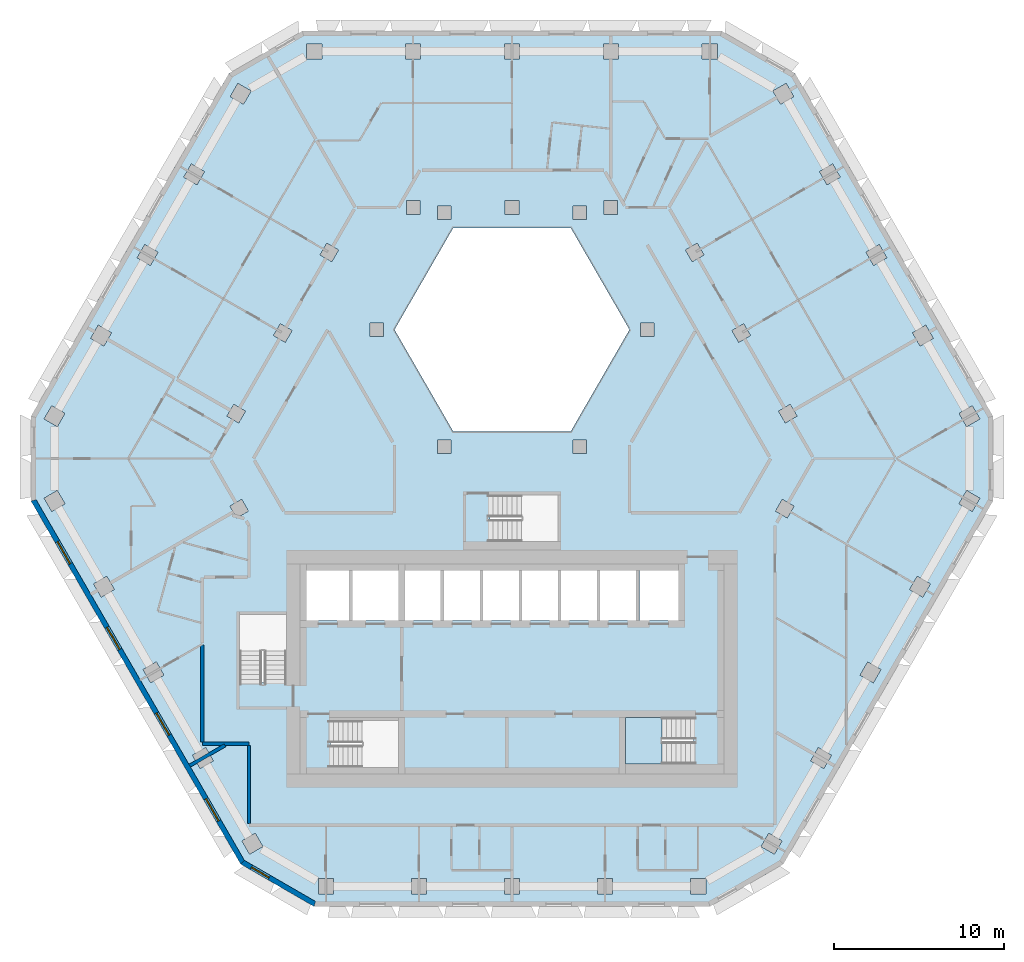
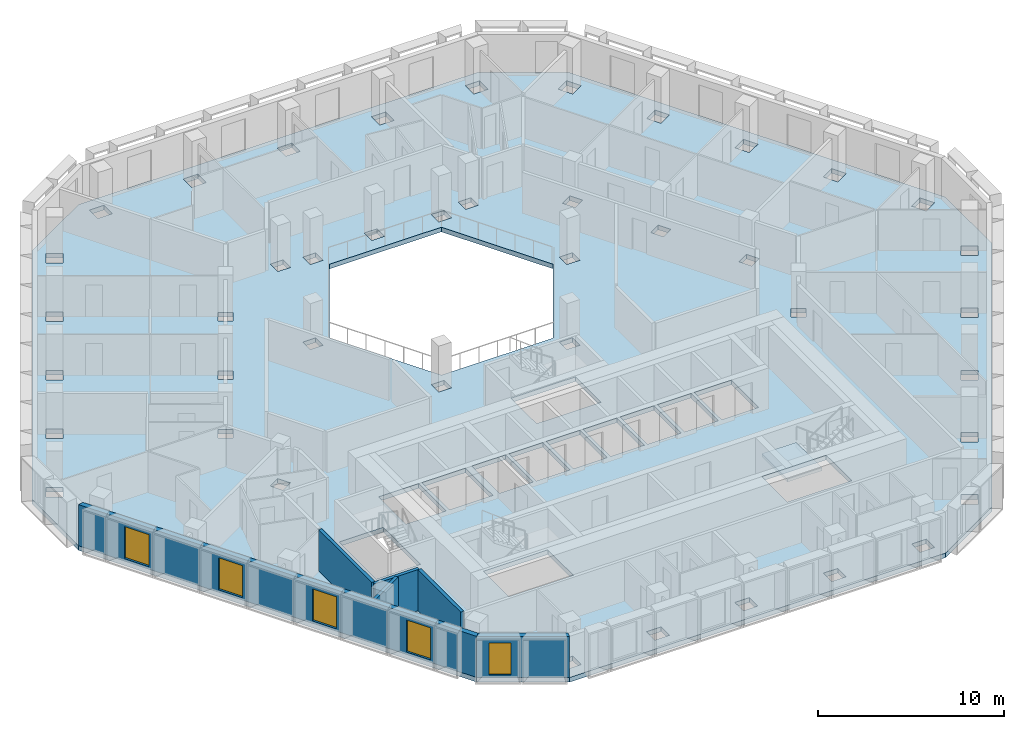
# One storey, part 2 of 15: 6 walls, 5 windows, 2 slabs, 5 openings, 1 element without a shape of its own.
"""IFC4 building model written with IfcOpenShell, lengths in metres."""

from ifc_helpers import new_model, si_unit, direction, frame, frame_2d, origin, place, context, subcontext, project, spatial, polyline, rectangle, outline, extrude, material, layer, layer_set, type_object, element, fill, aggregate, save


model = new_model("IFC4")

# Units and contexts
model_context = context("Model", 3, precision=1e-05, world=origin(), true_north=direction((0.0, 1.0)))
body_context = subcontext(model_context, "Body", "Model", "MODEL_VIEW")
ifc_project = project(units=[si_unit("LENGTHUNIT", "METRE"), si_unit("AREAUNIT", "SQUARE_METRE"), si_unit("VOLUMEUNIT", "CUBIC_METRE"), si_unit("PLANEANGLEUNIT", "RADIAN"), si_unit("MASSUNIT", "GRAM", prefix="KILO")], contexts=[model_context])

# Site, building, storey
site_placement = place(None, origin())
site = spatial("IfcSite", under=ifc_project, at=site_placement, CompositionType="ELEMENT")
building_placement = place(site_placement, origin())
building = spatial("IfcBuilding", under=site, at=building_placement, Name="Beryl Residences", CompositionType="ELEMENT")
storey_placement = place(building_placement, frame((0.0, 0.0, 117.60009765625)))
storey = spatial("IfcBuildingStorey", under=building, at=storey_placement, Name="L35", CompositionType="ELEMENT", Elevation=117.60009765625)

# Slab
ifc_material_1 = material(Name="Concrete C40/50", Category="concrete")
ifc_layer_1 = layer(ifc_material_1, 0.300048828125)
ifc_layer_set_1 = layer_set([ifc_layer_1], Name="SL7 PT floor slab 300 mm C40/50")
slab_type_1 = type_object("IfcSlabType", Name="SL7 PT floor slab 300 mm C40/50", PredefinedType="FLOOR", material=ifc_layer_set_1)
slab_1_placement = place(storey_placement, frame((0.0, 0.0, -0.300048828125)))
element("IfcSlab", 1, at=slab_1_placement, inside=storey, type_object=slab_type_1, Name="L35 slab 1", PredefinedType="FLOOR", context=body_context, shape_type="SweptSolid", body=[
    extrude(outline(polyline([(28.347900390625, -2.10009765625), (15.991943359375, -23.5), (11.662109375, -26.0), (-11.662109375, -26.0), (-15.991943359375, -23.5), (-28.347900390625, -2.10009765625), (-28.347900390625, 2.89990234375), (-16.68505859375, 23.10009765625), (-12.35498046875, 25.60009765625), (12.35498046875, 25.60009765625), (16.68505859375, 23.10009765625), (28.347900390625, 2.89990234375), (28.347900390625, -2.10009765625)]), holes=[polyline([(27.1279296875, 3.514892578125), (26.347900390625, 3.06494140625), (26.798095703125, 2.284912109375), (27.577880859375, 2.735107421875), (27.1279296875, 3.514892578125)]), polyline([(26.7958984375, -1.486083984375), (26.345947265625, -2.26611328125), (27.1259765625, -2.716064453125), (27.575927734375, -1.93603515625), (26.7958984375, -1.486083984375)]), polyline([(23.60498046875, 7.81494140625), (24.054931640625, 7.034912109375), (24.8349609375, 7.485107421875), (24.385009765625, 8.264892578125), (23.60498046875, 7.81494140625)]), polyline([(24.660888671875, -6.986083984375), (23.881103515625, -6.535888671875), (23.430908203125, -7.31591796875), (24.2109375, -7.76611328125), (24.660888671875, -6.986083984375)]), polyline([(21.64306640625, 13.014892578125), (20.863037109375, 12.56494140625), (21.31298828125, 11.784912109375), (22.093017578125, 12.235107421875), (21.64306640625, 13.014892578125)]), polyline([(20.965087890625, -11.5859375), (20.514892578125, -12.365966796875), (21.294921875, -12.81591796875), (21.7451171875, -12.035888671875), (20.965087890625, -11.5859375)]), polyline([(18.1201171875, 17.31494140625), (18.570068359375, 16.534912109375), (19.35009765625, 16.985107421875), (18.89990234375, 17.764892578125), (18.1201171875, 17.31494140625)]), polyline([(18.830078125, -17.0859375), (18.050048828125, -16.635986328125), (17.60009765625, -17.416015625), (18.3798828125, -17.865966796875), (18.830078125, -17.0859375)]), polyline([(16.39892578125, 3.595947265625), (15.70703125, 3.196044921875), (16.10693359375, 2.50390625), (16.799072265625, 2.904052734375), (16.39892578125, 3.595947265625)]), polyline([(16.6240234375, -2.405029296875), (15.931884765625, -2.0048828125), (15.531982421875, -2.697021484375), (16.22412109375, -3.096923828125), (16.6240234375, -2.405029296875)]), polyline([(16.157958984375, 22.514892578125), (15.3779296875, 22.06494140625), (15.827880859375, 21.284912109375), (16.60791015625, 21.735107421875), (16.157958984375, 22.514892578125)]), polyline([(15.9140625, -22.135009765625), (15.134033203125, -21.68505859375), (14.68408203125, -22.465087890625), (15.464111328125, -22.9150390625), (15.9140625, -22.135009765625)]), polyline([(13.656005859375, 8.345947265625), (12.964111328125, 7.946044921875), (13.364013671875, 7.25390625), (14.055908203125, 7.654052734375), (13.656005859375, 8.345947265625)]), polyline([(11.2119140625, 24.85009765625), (11.2119140625, 23.949951171875), (12.112060546875, 23.949951171875), (12.112060546875, 24.85009765625), (11.2119140625, 24.85009765625)]), polyline([(11.4208984375, -24.35009765625), (10.52099609375, -24.35009765625), (10.52099609375, -25.25), (11.4208984375, -25.25), (11.4208984375, -24.35009765625)]), polyline([(10.221923828125, 12.696044921875), (10.6220703125, 12.00390625), (11.31396484375, 12.404052734375), (10.9140625, 13.095947265625), (10.221923828125, 12.696044921875)]), polyline([(6.699951171875, -14.85009765625), (6.699951171875, -17.60009765625), (10.699951171875, -17.60009765625), (10.699951171875, -14.85009765625), (6.699951171875, -14.85009765625)]), polyline([(7.5, -9.14990234375), (9.800048828125, -9.14990234375), (9.800048828125, -6.199951171875), (7.5, -6.199951171875), (7.5, -9.14990234375)]), polyline([(8.366943359375, 7.60009765625), (8.366943359375, 8.39990234375), (7.56689453125, 8.39990234375), (7.56689453125, 7.60009765625), (8.366943359375, 7.60009765625)]), polyline([(7.300048828125, -9.14990234375), (7.300048828125, -6.199951171875), (5.199951171875, -6.199951171875), (5.199951171875, -9.14990234375), (7.300048828125, -9.14990234375)]), polyline([(3.464111328125, 14.0), (-3.464111328125, 14.0), (-6.92822265625, 8.0), (-3.464111328125, 2.0), (3.464111328125, 2.0), (6.92822265625, 8.0), (3.464111328125, 14.0)]), polyline([(5.381103515625, 24.85009765625), (5.381103515625, 23.949951171875), (6.281005859375, 23.949951171875), (6.281005859375, 24.85009765625), (5.381103515625, 24.85009765625)]), polyline([(5.430908203125, 15.60009765625), (5.430908203125, 14.800048828125), (6.23095703125, 14.800048828125), (6.23095703125, 15.60009765625), (5.430908203125, 15.60009765625)]), polyline([(5.93603515625, -25.25), (5.93603515625, -24.35009765625), (5.035888671875, -24.35009765625), (5.035888671875, -25.25), (5.93603515625, -25.25)]), polyline([(2.89990234375, -9.14990234375), (5.0, -9.14990234375), (5.0, -6.199951171875), (2.89990234375, -6.199951171875), (2.89990234375, -9.14990234375)]), polyline([(4.384033203125, 14.5), (4.384033203125, 15.300048828125), (3.583984375, 15.300048828125), (3.583984375, 14.5), (4.384033203125, 14.5)]), polyline([(3.583984375, 1.5), (3.583984375, 0.699951171875), (4.384033203125, 0.699951171875), (4.384033203125, 1.5), (3.583984375, 1.5)]), polyline([(2.699951171875, -4.5), (2.699951171875, -1.75), (-1.300048828125, -1.75), (-1.300048828125, -4.5), (2.699951171875, -4.5)]), polyline([(0.60009765625, -9.14990234375), (2.699951171875, -9.14990234375), (2.699951171875, -6.199951171875), (0.60009765625, -6.199951171875), (0.60009765625, -9.14990234375)]), polyline([(0.450927734375, -24.35009765625), (-0.448974609375, -24.35009765625), (-0.448974609375, -25.25), (0.450927734375, -25.25), (0.450927734375, -24.35009765625)]), polyline([(-0.449951171875, 24.85009765625), (-0.449951171875, 23.949951171875), (0.449951171875, 23.949951171875), (0.449951171875, 24.85009765625), (-0.449951171875, 24.85009765625)]), polyline([(0.39990234375, -6.199951171875), (-1.699951171875, -6.199951171875), (-1.699951171875, -9.14990234375), (0.39990234375, -9.14990234375), (0.39990234375, -6.199951171875)]), polyline([(-0.39990234375, 15.60009765625), (-0.39990234375, 14.800048828125), (0.39990234375, 14.800048828125), (0.39990234375, 15.60009765625), (-0.39990234375, 15.60009765625)]), polyline([(-4.0, -9.14990234375), (-1.89990234375, -9.14990234375), (-1.89990234375, -6.199951171875), (-4.0, -6.199951171875), (-4.0, -9.14990234375)]), polyline([(-3.583984375, 14.5), (-3.583984375, 15.300048828125), (-4.384033203125, 15.300048828125), (-4.384033203125, 14.5), (-3.583984375, 14.5)]), polyline([(-3.583984375, 0.699951171875), (-3.583984375, 1.5), (-4.384033203125, 1.5), (-4.384033203125, 0.699951171875), (-3.583984375, 0.699951171875)]), polyline([(-6.300048828125, -9.14990234375), (-4.199951171875, -9.14990234375), (-4.199951171875, -6.199951171875), (-6.300048828125, -6.199951171875), (-6.300048828125, -9.14990234375)]), polyline([(-5.033935546875, -25.25), (-5.033935546875, -24.35009765625), (-5.93408203125, -24.35009765625), (-5.93408203125, -25.25), (-5.033935546875, -25.25)]), polyline([(-6.281005859375, 23.949951171875), (-5.381103515625, 23.949951171875), (-5.381103515625, 24.85009765625), (-6.281005859375, 24.85009765625), (-6.281005859375, 23.949951171875)]), polyline([(-6.23095703125, 14.800048828125), (-5.430908203125, 14.800048828125), (-5.430908203125, 15.60009765625), (-6.23095703125, 15.60009765625), (-6.23095703125, 14.800048828125)]), polyline([(-6.699951171875, -6.199951171875), (-9.39990234375, -6.199951171875), (-9.39990234375, -9.14990234375), (-6.699951171875, -9.14990234375), (-6.699951171875, -6.199951171875)]), polyline([(-10.699951171875, -15.050048828125), (-10.699951171875, -17.800048828125), (-6.699951171875, -17.800048828125), (-6.699951171875, -15.050048828125), (-10.699951171875, -15.050048828125)]), polyline([(-7.56689453125, 7.60009765625), (-7.56689453125, 8.39990234375), (-8.366943359375, 8.39990234375), (-8.366943359375, 7.60009765625), (-7.56689453125, 7.60009765625)]), polyline([(-12.10009765625, -9.14990234375), (-9.60009765625, -9.14990234375), (-9.60009765625, -6.199951171875), (-12.10009765625, -6.199951171875), (-12.10009765625, -9.14990234375)]), polyline([(-11.31396484375, 12.404052734375), (-10.6220703125, 12.00390625), (-10.221923828125, 12.696044921875), (-10.9140625, 13.095947265625), (-11.31396484375, 12.404052734375)]), polyline([(-11.4189453125, -24.35009765625), (-11.4189453125, -25.25), (-10.51904296875, -25.25), (-10.51904296875, -24.35009765625), (-11.4189453125, -24.35009765625)]), polyline([(-12.112060546875, 24.85009765625), (-12.112060546875, 23.949951171875), (-11.2119140625, 23.949951171875), (-11.2119140625, 24.85009765625), (-12.112060546875, 24.85009765625)]), polyline([(-14.055908203125, 7.654052734375), (-13.364013671875, 7.25390625), (-12.964111328125, 7.946044921875), (-13.656005859375, 8.345947265625), (-14.055908203125, 7.654052734375)]), polyline([(-13.300048828125, -8.800048828125), (-16.050048828125, -8.800048828125), (-16.050048828125, -12.800048828125), (-13.300048828125, -12.800048828125), (-13.300048828125, -8.800048828125)]), polyline([(-14.68505859375, -22.464111328125), (-15.135009765625, -21.68408203125), (-15.9150390625, -22.134033203125), (-15.465087890625, -22.9140625), (-14.68505859375, -22.464111328125)]), polyline([(-15.827880859375, 21.284912109375), (-15.3779296875, 22.06494140625), (-16.157958984375, 22.514892578125), (-16.60791015625, 21.735107421875), (-15.827880859375, 21.284912109375)]), polyline([(-15.532958984375, -2.695068359375), (-15.93310546875, -2.0029296875), (-16.625, -2.403076171875), (-16.22509765625, -3.094970703125), (-15.532958984375, -2.695068359375)]), polyline([(-16.10693359375, 2.50390625), (-15.70703125, 3.196044921875), (-16.39892578125, 3.595947265625), (-16.799072265625, 2.904052734375), (-16.10693359375, 2.50390625)]), polyline([(-17.60107421875, -17.4140625), (-18.051025390625, -16.634033203125), (-18.8310546875, -17.083984375), (-18.381103515625, -17.864013671875), (-17.60107421875, -17.4140625)]), polyline([(-19.35009765625, 16.985107421875), (-18.570068359375, 16.534912109375), (-18.1201171875, 17.31494140625), (-18.89990234375, 17.764892578125), (-19.35009765625, 16.985107421875)]), polyline([(-21.2958984375, -12.81396484375), (-20.51611328125, -12.364013671875), (-20.966064453125, -11.583984375), (-21.74609375, -12.033935546875), (-21.2958984375, -12.81396484375)]), polyline([(-20.863037109375, 12.56494140625), (-21.64306640625, 13.014892578125), (-22.093017578125, 12.235107421875), (-21.31298828125, 11.784912109375), (-20.863037109375, 12.56494140625)]), polyline([(-24.2119140625, -7.763916015625), (-23.431884765625, -7.31396484375), (-23.882080078125, -6.533935546875), (-24.662109375, -6.98388671875), (-24.2119140625, -7.763916015625)]), polyline([(-24.8349609375, 7.485107421875), (-24.054931640625, 7.034912109375), (-23.60498046875, 7.81494140625), (-24.385009765625, 8.264892578125), (-24.8349609375, 7.485107421875)]), polyline([(-27.126953125, -2.715087890625), (-26.346923828125, -2.264892578125), (-26.797119140625, -1.485107421875), (-27.576904296875, -1.93505859375), (-27.126953125, -2.715087890625)]), polyline([(-27.577880859375, 2.735107421875), (-26.798095703125, 2.284912109375), (-26.347900390625, 3.06494140625), (-27.1279296875, 3.514892578125), (-27.577880859375, 2.735107421875)])]), origin(), (0.0, 0.0, 1.0), 0.300048828125),
])

# Stair, slab
ifc_material_2 = material(Name="Concrete C40/50", Category="concrete")
stair_type = type_object("IfcStairType", Name="ST1 protected exit stair, half-turn, 1300 mm flights", PredefinedType="HALF_TURN_STAIR", material=ifc_material_2)
stair_placement = place(storey_placement, origin())
stair = element("IfcStair", 2, at=stair_placement, inside=storey, type_object=stair_type, Name="L35 PROTECTED EXIT STAIR ST-3", PredefinedType="HALF_TURN_STAIR")
ifc_material_3 = material(Name="Concrete C40/50", Category="concrete")
ifc_layer_2 = layer(ifc_material_3, 0.199951171875)
ifc_layer_set_2 = layer_set([ifc_layer_2], Name="SLD1 stair landing 200 mm")
slab_type_2 = type_object("IfcSlabType", Name="SLD1 stair landing 200 mm", PredefinedType="LANDING", material=ifc_layer_set_2)
slab_2_placement = place(storey_placement, frame((0.0, 0.0, 1.2998046875)))
slab_2 = element("IfcSlab", 3, at=slab_2_placement, type_object=slab_type_2, Name="ST-3 landing 1", PredefinedType="LANDING", context=body_context, shape_type="SweptSolid", body=[
    extrude(outline(polyline([(8.840087890625, -14.85009765625), (6.699951171875, -14.85009765625), (6.699951171875, -17.60009765625), (8.840087890625, -17.60009765625), (8.840087890625, -14.85009765625)])), origin(), (0.0, 0.0, 1.0), 0.2001953125),
])
aggregate(stair, [slab_2])

# Wall, openings, windows
ifc_material_4 = material(Name="Composite metal panel with mineral wool insulation")
ifc_layer_3 = layer(ifc_material_4, 0.300048828125)
ifc_layer_set_3 = layer_set([ifc_layer_3], Name="ES1 pale metal composite panel wall 300 mm")
wall_type_1 = type_object("IfcWallType", Name="ES1 pale metal composite panel wall 300 mm", PredefinedType="SOLIDWALL", material=ifc_layer_set_3)
wall_1_placement = place(storey_placement, frame((-28.218017578125, -2.02490234375, 0.0), z_axis=(0.0, 0.0, 1.0), x_axis=(0.500017503135, -0.866015298109, 0.0)))
wall_1 = element("IfcWall", 4, at=wall_1_placement, inside=storey, type_object=wall_type_1, Name="ES1 external wall L35 SW", PredefinedType="SOLIDWALL", context=body_context, shape_type="SweptSolid", body=[
    extrude(outline(polyline([(0.0, -0.14990234375), (24.7109375, -0.14990234375), (24.630615234375, 0.14990234375), (0.080322265625, 0.14990234375), (0.0, -0.14990234375)])), origin(), (0.0, 0.0, 1.0), 2.699951171875),
])
opening_1_placement = place(wall_1_placement, frame((2.85693359375, 0.0, 0.14990234375)))
opening_1 = element("IfcOpeningElement", 5, at=opening_1_placement, cuts=wall_1, Name="Opening W1", PredefinedType="OPENING", context=body_context, shape_type="SweptSolid", body=[
    extrude(rectangle(XDim=1.5, YDim=2.10009765625, at=frame_2d((0.75, 1.050048828125))), frame((0.0, 0.159912109375, 0.0), z_axis=(0.0, -1.0, 0.0), x_axis=(1.0, 0.0, 0.0)), (0.0, 0.0, 1.0), 0.320068359375),
])
opening_2_placement = place(wall_1_placement, frame((8.68896484375, 0.0, 0.14990234375)))
opening_2 = element("IfcOpeningElement", 6, at=opening_2_placement, cuts=wall_1, Name="Opening W1", PredefinedType="OPENING", context=body_context, shape_type="SweptSolid", body=[
    extrude(rectangle(XDim=1.5, YDim=2.10009765625, at=frame_2d((0.75, 1.050048828125))), frame((0.0, 0.159912109375, 0.0), z_axis=(0.0, -1.0, 0.0), x_axis=(1.0, 0.0, 0.0)), (0.0, 0.0, 1.0), 0.320068359375),
])
opening_3_placement = place(wall_1_placement, frame((14.52001953125, 0.0, 0.14990234375)))
opening_3 = element("IfcOpeningElement", 7, at=opening_3_placement, cuts=wall_1, Name="Opening W1", PredefinedType="OPENING", context=body_context, shape_type="SweptSolid", body=[
    extrude(rectangle(XDim=1.5, YDim=2.10009765625, at=frame_2d((0.75, 1.050048828125))), frame((0.0, 0.159912109375, 0.0), z_axis=(0.0, -1.0, 0.0), x_axis=(1.0, 0.0, 0.0)), (0.0, 0.0, 1.0), 0.320068359375),
])
opening_4_placement = place(wall_1_placement, frame((20.35107421875, 0.0, 0.14990234375)))
opening_4 = element("IfcOpeningElement", 8, at=opening_4_placement, cuts=wall_1, Name="Opening W1", PredefinedType="OPENING", context=body_context, shape_type="SweptSolid", body=[
    extrude(rectangle(XDim=1.5, YDim=2.10009765625, at=frame_2d((0.75, 1.050048828125))), frame((0.0, 0.159912109375, 0.0), z_axis=(0.0, -1.0, 0.0), x_axis=(1.0, 0.0, 0.0)), (0.0, 0.0, 1.0), 0.320068359375),
])
ifc_material_5 = material(Name="Aluminium and clear glass", Category="aluminium")
window_type_1 = type_object("IfcWindowType", Name="W1 cell window 1500 x 2100 mm", PartitioningType="SINGLE_PANEL", PredefinedType="WINDOW", material=ifc_material_5)
window_1_placement = place(opening_1_placement, origin())
window_1 = element("IfcWindow", 9, at=window_1_placement, inside=storey, type_object=window_type_1, Name="W1 window L35 SW 2", OverallHeight=2.10009765625, OverallWidth=1.5, PartitioningType="SINGLE_PANEL", PredefinedType="WINDOW", context=body_context, shape_type="SweptSolid", body=[
    extrude(rectangle(XDim=1.5, YDim=2.10009765625, at=frame_2d((0.75, 1.050048828125))), frame((0.0, 0.030029296875, 0.0), z_axis=(0.0, -1.0, 0.0), x_axis=(1.0, 0.0, 0.0)), (0.0, 0.0, 1.0), 0.06005859375),
])
fill(opening_1, window_1)
window_2_placement = place(opening_2_placement, origin())
window_2 = element("IfcWindow", 10, at=window_2_placement, inside=storey, type_object=window_type_1, Name="W1 window L35 SW 4", OverallHeight=2.10009765625, OverallWidth=1.5, PartitioningType="SINGLE_PANEL", PredefinedType="WINDOW", context=body_context, shape_type="SweptSolid", body=[
    extrude(rectangle(XDim=1.5, YDim=2.10009765625, at=frame_2d((0.75, 1.050048828125))), frame((0.0, 0.030029296875, 0.0), z_axis=(0.0, -1.0, 0.0), x_axis=(1.0, 0.0, 0.0)), (0.0, 0.0, 1.0), 0.06005859375),
])
fill(opening_2, window_2)
window_3_placement = place(opening_3_placement, origin())
window_3 = element("IfcWindow", 11, at=window_3_placement, inside=storey, type_object=window_type_1, Name="W1 window L35 SW 6", OverallHeight=2.10009765625, OverallWidth=1.5, PartitioningType="SINGLE_PANEL", PredefinedType="WINDOW", context=body_context, shape_type="SweptSolid", body=[
    extrude(rectangle(XDim=1.5, YDim=2.10009765625, at=frame_2d((0.75, 1.050048828125))), frame((0.0, 0.030029296875, 0.0), z_axis=(0.0, -1.0, 0.0), x_axis=(1.0, 0.0, 0.0)), (0.0, 0.0, 1.0), 0.06005859375),
])
fill(opening_3, window_3)
window_4_placement = place(opening_4_placement, origin())
window_4 = element("IfcWindow", 12, at=window_4_placement, inside=storey, type_object=window_type_1, Name="W1 window L35 SW 8", OverallHeight=2.10009765625, OverallWidth=1.5, PartitioningType="SINGLE_PANEL", PredefinedType="WINDOW", context=body_context, shape_type="SweptSolid", body=[
    extrude(rectangle(XDim=1.5, YDim=2.10009765625, at=frame_2d((0.75, 1.050048828125))), frame((0.0, 0.030029296875, 0.0), z_axis=(0.0, -1.0, 0.0), x_axis=(1.0, 0.0, 0.0)), (0.0, 0.0, 1.0), 0.06005859375),
])
fill(opening_4, window_4)

# Wall, opening, window
wall_2_placement = place(storey_placement, frame((-15.9169921875, -23.3701171875, 0.0), z_axis=(0.0, 0.0, 1.0), x_axis=(0.866022959057, -0.500004234368, 0.0)))
wall_2 = element("IfcWall", 13, at=wall_2_placement, inside=storey, type_object=wall_type_1, Name="ES1 external wall L35 SW-S", PredefinedType="SOLIDWALL", context=body_context, shape_type="SweptSolid", body=[
    extrude(outline(polyline([(0.0, -0.14990234375), (5.0, -0.14990234375), (4.919677734375, 0.14990234375), (0.080322265625, 0.14990234375), (0.0, -0.14990234375)])), origin(), (0.0, 0.0, 1.0), 2.699951171875),
])
opening_5_placement = place(wall_2_placement, frame((0.64990234375, 0.0, 0.14990234375)))
opening_5 = element("IfcOpeningElement", 14, at=opening_5_placement, cuts=wall_2, Name="Opening W2", PredefinedType="OPENING", context=body_context, shape_type="SweptSolid", body=[
    extrude(rectangle(XDim=1.199951171875, YDim=2.10009765625, at=frame_2d((0.60009765625, 1.050048828125))), frame((0.0, 0.159912109375, 0.0), z_axis=(0.0, -1.0, 0.0), x_axis=(1.0, 0.0, 0.0)), (0.0, 0.0, 1.0), 0.320068359375),
])
ifc_material_6 = material(Name="Aluminium and clear glass", Category="aluminium")
window_type_2 = type_object("IfcWindowType", Name="W2 chamfer window 1200 x 2100 mm", PartitioningType="SINGLE_PANEL", PredefinedType="WINDOW", material=ifc_material_6)
window_5_placement = place(opening_5_placement, origin())
window_5 = element("IfcWindow", 15, at=window_5_placement, inside=storey, type_object=window_type_2, Name="W2 window L35 SW-S 1", OverallHeight=2.10009765625, OverallWidth=1.199951171875, PartitioningType="SINGLE_PANEL", PredefinedType="WINDOW", context=body_context, shape_type="SweptSolid", body=[
    extrude(rectangle(XDim=1.199951171875, YDim=2.10009765625, at=frame_2d((0.60009765625, 1.050048828125))), frame((0.0, 0.030029296875, 0.0), z_axis=(0.0, -1.0, 0.0), x_axis=(1.0, 0.0, 0.0)), (0.0, 0.0, 1.0), 0.06005859375),
])
fill(opening_5, window_5)

# Walls
ifc_material_7 = material(Name="Acoustic double stud gypsum board wall")
ifc_layer_4 = layer(ifc_material_7, 0.199951171875)
ifc_layer_set_4 = layer_set([ifc_layer_4], Name="PT3 party wall 200 mm acoustic double stud")
wall_type_2 = type_object("IfcWallType", Name="PT3 party wall 200 mm acoustic double stud", PredefinedType="PARTITIONING", material=ifc_layer_set_4)
wall_3_placement = place(storey_placement, frame((-18.9951171875, -17.698974609375, 0.0), z_axis=(0.0, 0.0, 1.0), x_axis=(0.86607371389, 0.499916315105, 0.0)))
element("IfcWall", 16, at=wall_3_placement, inside=storey, type_object=wall_type_2, Name="Wall PT3 L35 012", PredefinedType="PARTITIONING", context=body_context, shape_type="SweptSolid", body=[
    extrude(rectangle(XDim=2.3984375, YDim=0.199951171875, at=frame_2d((1.19921875, 0.0))), origin(), (0.0, 0.0, 1.0), 2.699951171875),
])
ifc_material_8 = material(Name="Double stud gypsum board wall")
ifc_layer_5 = layer(ifc_material_8, 0.199951171875)
ifc_layer_set_5 = layer_set([ifc_layer_5], Name="PT4 corridor wall 200 mm double stud")
wall_type_3 = type_object("IfcWallType", Name="PT4 corridor wall 200 mm double stud", PredefinedType="PARTITIONING", material=ifc_layer_set_5)
wall_4_placement = place(storey_placement, frame((-15.5, -16.5, 0.0), z_axis=(0.0, 0.0, 1.0), x_axis=(0.0, -1.0, 0.0)))
element("IfcWall", 17, at=wall_4_placement, inside=storey, type_object=wall_type_3, Name="Wall PT4 L35 008", PredefinedType="PARTITIONING", context=body_context, shape_type="SweptSolid", body=[
    extrude(rectangle(XDim=4.59912109375, YDim=0.199951171875, at=frame_2d((2.299560546875, 0.0))), origin(), (0.0, 0.0, 1.0), 2.699951171875),
])
wall_5_placement = place(storey_placement, frame((-18.25, -10.593017578125, 0.0), z_axis=(0.0, 0.0, 1.0), x_axis=(0.0, -1.0, 0.0)))
element("IfcWall", 18, at=wall_5_placement, inside=storey, type_object=wall_type_3, Name="Wall PT4 L35 009", PredefinedType="PARTITIONING", context=body_context, shape_type="SweptSolid", body=[
    extrude(rectangle(XDim=5.7060546875, YDim=0.199951171875, at=frame_2d((2.85302734375, 0.0))), origin(), (0.0, 0.0, 1.0), 2.699951171875),
])
wall_6_placement = place(storey_placement, frame((-18.2490234375, -16.39990234375, 0.0), z_axis=(0.0, 0.0, 1.0), x_axis=(1.0, 0.0, 0.0)))
element("IfcWall", 19, at=wall_6_placement, inside=storey, type_object=wall_type_3, Name="Wall PT4 L35 011", PredefinedType="PARTITIONING", context=body_context, shape_type="SweptSolid", body=[
    extrude(rectangle(XDim=2.7490234375, YDim=0.199951171875, at=frame_2d((1.37451171875, 0.0))), origin(), (0.0, 0.0, 1.0), 2.699951171875),
])

save(model, "model.ifc")
